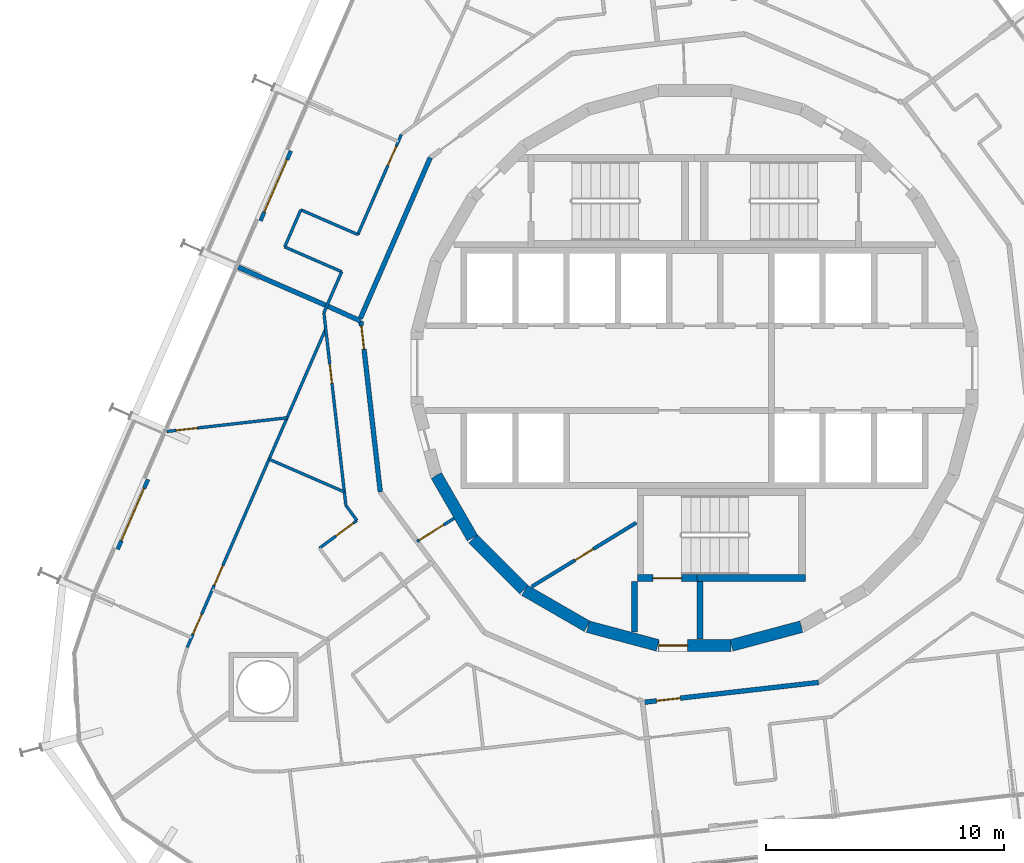
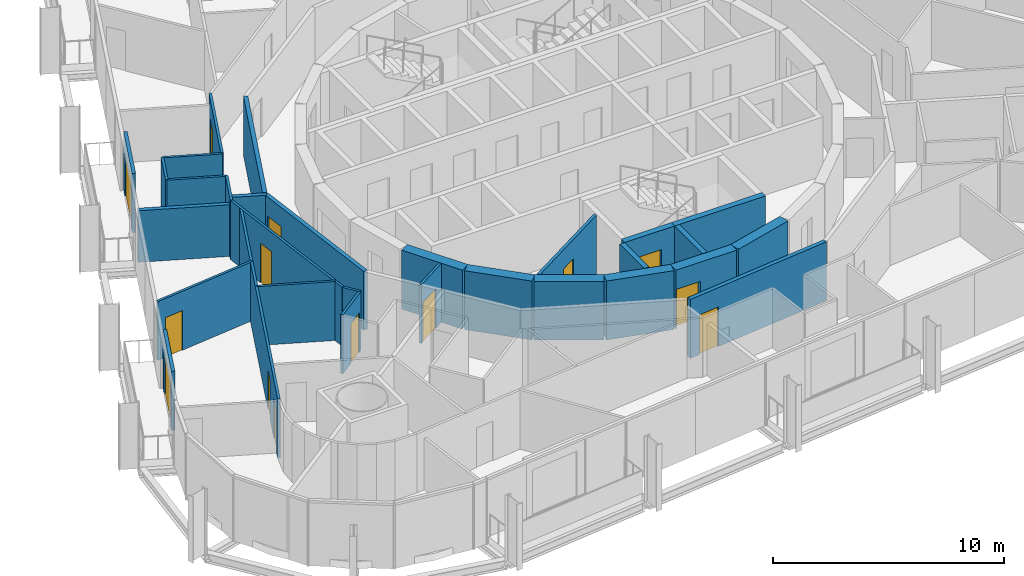
# One storey, part 17 of 24: 30 walls, 14 doors, 14 openings.
"""IFC4 building model written with IfcOpenShell, lengths in metres."""

from ifc_helpers import new_model, si_unit, direction, frame, frame_2d, origin, place, context, subcontext, project, spatial, rectangle, extrude, material, layer, layer_set, type_object, element, fill, save


model = new_model("IFC4")

# Units and contexts
model_context = context("Model", 3, precision=1e-05, world=origin(), true_north=direction((0.0, 1.0)))
body_context = subcontext(model_context, "Body", "Model", "MODEL_VIEW")
ifc_project = project(units=[si_unit("LENGTHUNIT", "METRE"), si_unit("AREAUNIT", "SQUARE_METRE"), si_unit("VOLUMEUNIT", "CUBIC_METRE"), si_unit("PLANEANGLEUNIT", "RADIAN"), si_unit("MASSUNIT", "GRAM", prefix="KILO")], contexts=[model_context])

# Site, building, storey
site_placement = place(None, origin())
site = spatial("IfcSite", under=ifc_project, at=site_placement, CompositionType="ELEMENT")
building_placement = place(site_placement, origin())
building = spatial("IfcBuilding", under=site, at=building_placement, Name="Spindle Arch Residences", CompositionType="ELEMENT")
storey_placement = place(building_placement, frame((0.0, 0.0, 101.199951171875)))
storey = spatial("IfcBuildingStorey", under=building, at=storey_placement, Name="L24", CompositionType="ELEMENT", Elevation=101.199951171875)

# Walls
ifc_material_1 = material(Name="Concrete C50/60", Category="concrete")
ifc_layer_1 = layer(ifc_material_1, 0.5)
ifc_layer_set_1 = layer_set([ifc_layer_1], Name="Core outline wall 500")
wall_type_1 = type_object("IfcWallType", Name="Core outline wall 500", PredefinedType="SHEAR", material=ifc_layer_set_1)
for number, where, z_axis, x_axis, name in (
    (1, (1.5498046875, -11.642822265625, 0.0), (0.0, 0.0, 1.0), (0.965948410781, 0.258734743916, 0.0), "Core outline wall 1"),
    (2, (-10.84521484375, -4.510498046875, 0.0), (0.0, 0.0, 1.0), (0.500087131594, -0.865975092491, 0.0), "Core outline wall 20"),
):
    element("IfcWall", number, at=place(storey_placement, frame(where, z_axis=z_axis, x_axis=x_axis)), inside=storey, type_object=wall_type_1, Name=name, PredefinedType="SHEAR", context=body_context, shape_type="SweptSolid", body=[
        extrude(rectangle(XDim=3.03271484375, YDim=0.5, at=frame_2d((1.516357421875, 0.0))), origin(), (0.0, 0.0, 1.0), 3.1201171875),
    ])
wall_1_placement = place(storey_placement, frame((-9.30810546875, -7.163818359375, 0.0), z_axis=(0.0, 0.0, 1.0), x_axis=(0.707106781187, -0.707106781187, 0.0)))
element("IfcWall", 3, at=wall_1_placement, inside=storey, type_object=wall_type_1, Name="Core outline wall 21", PredefinedType="SHEAR", context=body_context, shape_type="SweptSolid", body=[
    extrude(rectangle(XDim=3.032470703125, YDim=0.5, at=frame_2d((1.51611328125, 0.0))), origin(), (0.0, 0.0, 1.0), 3.1201171875),
])
for number, where, z_axis, x_axis, name in (
    (4, (-7.13671875, -9.32861328125, 0.0), (0.0, 0.0, 1.0), (0.865975092491, -0.500087131594, 0.0), "Core outline wall 22"),
    (5, (-4.479248046875, -10.858154296875, 0.0), (0.0, 0.0, 1.0), (0.965948410781, -0.258734743916, 0.0), "Core outline wall 23"),
):
    element("IfcWall", number, at=place(storey_placement, frame(where, z_axis=z_axis, x_axis=x_axis)), inside=storey, type_object=wall_type_1, Name=name, PredefinedType="SHEAR", context=body_context, shape_type="SweptSolid", body=[
        extrude(rectangle(XDim=3.03271484375, YDim=0.5, at=frame_2d((1.516357421875, 0.0))), origin(), (0.0, 0.0, 1.0), 3.1201171875),
    ])

# Wall, opening, door
wall_2_placement = place(storey_placement, frame((-1.516357421875, -11.647216796875, 0.0), z_axis=(0.0, 0.0, 1.0), x_axis=(1.0, 0.0, 0.0)))
wall_2 = element("IfcWall", 6, at=wall_2_placement, inside=storey, type_object=wall_type_1, Name="Core outline wall 24", PredefinedType="SHEAR", context=body_context, shape_type="SweptSolid", body=[
    extrude(rectangle(XDim=3.03271484375, YDim=0.5, at=frame_2d((1.516357421875, 0.0))), origin(), (0.0, 0.0, 1.0), 3.1201171875),
])
opening_1_placement = place(wall_2_placement, frame((0.016357421875, 0.0, 0.0)))
opening_1 = element("IfcOpeningElement", 7, at=opening_1_placement, cuts=wall_2, Name="Opening R2C1-AD03", PredefinedType="OPENING", context=body_context, shape_type="SweptSolid", body=[
    extrude(rectangle(XDim=1.199951171875, YDim=2.10009765625, at=frame_2d((0.60009765625, 1.050048828125))), frame((0.0, 0.260009765625, 0.0), z_axis=(0.0, -1.0, 0.0), x_axis=(1.0, 0.0, 0.0)), (0.0, 0.0, 1.0), 0.52001953125),
])
ifc_material_2 = material(Name="Steel, fire-resisting door", Category="steel")
door_type_1 = type_object("IfcDoorType", Name="Stair airlock door 1200x2100", OperationType="SINGLE_SWING_LEFT", PredefinedType="DOOR", material=ifc_material_2)
door_1_placement = place(opening_1_placement, origin())
door_1 = element("IfcDoor", 8, at=door_1_placement, inside=storey, type_object=door_type_1, Name="Stair airlock door R2C1-AD03", OperationType="SINGLE_SWING_RIGHT", OverallHeight=2.10009765625, OverallWidth=1.199951171875, PredefinedType="DOOR", context=body_context, shape_type="SweptSolid", body=[
    extrude(rectangle(XDim=1.199951171875, YDim=2.10009765625, at=frame_2d((0.60009765625, 1.050048828125))), frame((0.0, 0.02490234375, 0.0), z_axis=(0.0, -1.0, 0.0), x_axis=(1.0, 0.0, 0.0)), (0.0, 0.0, 1.0), 0.050048828125),
])
fill(opening_1, door_1)

ifc_material_3 = material(Name="Plasterboard on steel studs", Category="steel")
ifc_layer_2 = layer(ifc_material_3, 0.1201171875)
ifc_layer_set_2 = layer_set([ifc_layer_2], Name="Corridor division wall 120")
wall_type_2 = type_object("IfcWallType", Name="Corridor division wall 120", PredefinedType="PARTITIONING", material=ifc_layer_set_2)
wall_3_placement = place(storey_placement, frame((-11.654296875, -7.2822265625, 0.0), z_axis=(0.0, 0.0, 1.0), x_axis=(0.848117698675, 0.529807860638, 0.0)))
wall_3 = element("IfcWall", 9, at=wall_3_placement, inside=storey, type_object=wall_type_2, Name="Corridor division wall R2C1-W003", PredefinedType="PARTITIONING", context=body_context, shape_type="SweptSolid", body=[
    extrude(rectangle(XDim=1.837646484375, YDim=0.1201171875, at=frame_2d((0.9189453125, 0.0))), origin(), (0.0, 0.0, 1.0), 3.1201171875),
])
opening_2_placement = place(wall_3_placement, frame((0.114990234375, 0.0, 0.0)))
opening_2 = element("IfcOpeningElement", 10, at=opening_2_placement, cuts=wall_3, Name="Opening R2C1-CD03", PredefinedType="OPENING", context=body_context, shape_type="SweptSolid", body=[
    extrude(rectangle(XDim=1.199951171875, YDim=2.10009765625, at=frame_2d((0.60009765625, 1.050048828125))), frame((0.0, 0.070068359375, 0.0), z_axis=(0.0, -1.0, 0.0), x_axis=(1.0, 0.0, 0.0)), (0.0, 0.0, 1.0), 0.14013671875),
])
ifc_material_4 = material(Name="Steel, fire-resisting door", Category="steel")
door_type_2 = type_object("IfcDoorType", Name="Corridor division door 1200x2100", OperationType="NOTDEFINED", PredefinedType="DOOR", material=ifc_material_4)
door_2_placement = place(opening_2_placement, origin())
door_2 = element("IfcDoor", 11, at=door_2_placement, inside=storey, type_object=door_type_2, Name="Corridor division door R2C1-CD03", OperationType="DOUBLE_DOOR_SINGLE_SWING", OverallHeight=2.10009765625, OverallWidth=1.199951171875, PredefinedType="DOOR", context=body_context, shape_type="SweptSolid", body=[
    extrude(rectangle(XDim=1.199951171875, YDim=2.10009765625, at=frame_2d((0.60009765625, 1.050048828125))), frame((0.0, 0.02490234375, 0.0), z_axis=(0.0, -1.0, 0.0), x_axis=(1.0, 0.0, 0.0)), (0.0, 0.0, 1.0), 0.050048828125),
])
fill(opening_2, door_2)

# Wall
ifc_material_5 = material(Name="Calcium silicate block, plastered")
ifc_layer_3 = layer(ifc_material_5, 0.199951171875)
ifc_layer_set_3 = layer_set([ifc_layer_3], Name="Corridor wall 200")
wall_type_3 = type_object("IfcWallType", Name="Corridor wall 200", PredefinedType="STANDARD", material=ifc_layer_set_3)
wall_4_placement = place(storey_placement, frame((-11.10009765625, 8.829345703125, 0.0), z_axis=(0.0, 0.0, 1.0), x_axis=(-0.398741918631, -0.917063183388, 0.0)))
element("IfcWall", 12, at=wall_4_placement, inside=storey, type_object=wall_type_3, Name="Corridor wall R2C1-W010", PredefinedType="STANDARD", context=body_context, shape_type="SweptSolid", body=[
    extrude(rectangle(XDim=7.341796875, YDim=0.199951171875, at=frame_2d((3.6708984375, 0.0))), origin(), (0.0, 0.0, 1.0), 3.1201171875),
])

# Wall, opening, door
wall_5_placement = place(storey_placement, frame((-14.013427734375, 1.97412109375, 0.0), z_axis=(0.0, 0.0, 1.0), x_axis=(0.113196526349, -0.993572617589, 0.0)))
wall_5 = element("IfcWall", 13, at=wall_5_placement, inside=storey, type_object=wall_type_3, Name="Corridor wall R2C1-W011", PredefinedType="STANDARD", context=body_context, shape_type="SweptSolid", body=[
    extrude(rectangle(XDim=7.21875, YDim=0.199951171875, at=frame_2d((3.609375, 0.0))), origin(), (0.0, 0.0, 1.0), 3.1201171875),
])
opening_3_placement = place(wall_5_placement, frame((0.199951171875, 0.0, 0.0)))
opening_3 = element("IfcOpeningElement", 14, at=opening_3_placement, cuts=wall_5, Name="Opening R2C1-FD04", PredefinedType="OPENING", context=body_context, shape_type="SweptSolid", body=[
    extrude(rectangle(XDim=1.0, YDim=2.10009765625, at=frame_2d((0.5, 1.050048828125))), frame((0.0, 0.10986328125, 0.0), z_axis=(0.0, -1.0, 0.0), x_axis=(1.0, 0.0, 0.0)), (0.0, 0.0, 1.0), 0.219970703125),
])
ifc_material_6 = material(Name="Timber, fire-resisting door set", Category="wood")
door_type_3 = type_object("IfcDoorType", Name="Flat entrance door 1000x2100", OperationType="NOTDEFINED", PredefinedType="DOOR", material=ifc_material_6)
door_3_placement = place(opening_3_placement, origin())
door_3 = element("IfcDoor", 15, at=door_3_placement, inside=storey, type_object=door_type_3, Name="Flat entrance door R2C1-FD04", OperationType="SINGLE_SWING_RIGHT", OverallHeight=2.10009765625, OverallWidth=1.0, PredefinedType="DOOR", context=body_context, shape_type="SweptSolid", body=[
    extrude(rectangle(XDim=1.0, YDim=2.10009765625, at=frame_2d((0.5, 1.050048828125))), frame((0.0, 0.02490234375, 0.0), z_axis=(0.0, -1.0, 0.0), x_axis=(1.0, 0.0, 0.0)), (0.0, 0.0, 1.0), 0.050048828125),
])
fill(opening_3, door_3)

wall_6_placement = place(storey_placement, frame((-2.096435546875, -14.027587890625, 0.0), z_axis=(0.0, 0.0, 1.0), x_axis=(0.993569170114, 0.113226782163, 0.0)))
wall_6 = element("IfcWall", 16, at=wall_6_placement, inside=storey, type_object=wall_type_3, Name="Corridor wall R2C1-W014", PredefinedType="STANDARD", context=body_context, shape_type="SweptSolid", body=[
    extrude(rectangle(XDim=7.341796875, YDim=0.199951171875, at=frame_2d((3.6708984375, 0.0))), origin(), (0.0, 0.0, 1.0), 3.1201171875),
])
opening_4_placement = place(wall_6_placement, frame((0.5, 0.0, 0.0)))
opening_4 = element("IfcOpeningElement", 17, at=opening_4_placement, cuts=wall_6, Name="Opening R2C1-FD06", PredefinedType="OPENING", context=body_context, shape_type="SweptSolid", body=[
    extrude(rectangle(XDim=1.0, YDim=2.10009765625, at=frame_2d((0.5, 1.050048828125))), frame((0.0, 0.10986328125, 0.0), z_axis=(0.0, -1.0, 0.0), x_axis=(1.0, 0.0, 0.0)), (0.0, 0.0, 1.0), 0.219970703125),
])
door_4_placement = place(opening_4_placement, origin())
door_4 = element("IfcDoor", 18, at=door_4_placement, inside=storey, type_object=door_type_3, Name="Flat entrance door R2C1-FD06", OperationType="SINGLE_SWING_LEFT", OverallHeight=2.10009765625, OverallWidth=1.0, PredefinedType="DOOR", context=body_context, shape_type="SweptSolid", body=[
    extrude(rectangle(XDim=1.0, YDim=2.10009765625, at=frame_2d((0.5, 1.050048828125))), frame((0.0, 0.02490234375, 0.0), z_axis=(0.0, -1.0, 0.0), x_axis=(1.0, 0.0, 0.0)), (0.0, 0.0, 1.0), 0.050048828125),
])
fill(opening_4, door_4)

ifc_material_7 = material(Name="Plasterboard on steel studs", Category="steel")
ifc_layer_4 = layer(ifc_material_7, 0.1201171875)
ifc_layer_set_4 = layer_set([ifc_layer_4], Name="Flat partition 120")
wall_type_4 = type_object("IfcWallType", Name="Flat partition 120", PredefinedType="PARTITIONING", material=ifc_layer_set_4)
wall_7_placement = place(storey_placement, frame((-12.315185546875, 9.7958984375, 0.0), z_axis=(0.0, 0.0, 1.0), x_axis=(-0.398765150511, -0.917053081745, 0.0)))
wall_7 = element("IfcWall", 19, at=wall_7_placement, inside=storey, type_object=wall_type_4, Name="Flat partition R2C1-W070", PredefinedType="PARTITIONING", context=body_context, shape_type="SweptSolid", body=[
    extrude(rectangle(XDim=4.573486328125, YDim=0.1201171875, at=frame_2d((2.28662109375, 0.0))), origin(), (0.0, 0.0, 1.0), 3.1201171875),
])
opening_5_placement = place(wall_7_placement, frame((0.513427734375, 0.0, 0.0)))
opening_5 = element("IfcOpeningElement", 20, at=opening_5_placement, cuts=wall_7, Name="Opening R2C1-ID17", PredefinedType="OPENING", context=body_context, shape_type="SweptSolid", body=[
    extrude(rectangle(XDim=0.89990234375, YDim=2.10009765625, at=frame_2d((0.449951171875, 1.050048828125))), frame((0.0, 0.070068359375, 0.0), z_axis=(0.0, -1.0, 0.0), x_axis=(1.0, 0.0, 0.0)), (0.0, 0.0, 1.0), 0.14013671875),
])
ifc_material_8 = material(Name="Timber door set", Category="wood")
door_type_4 = type_object("IfcDoorType", Name="Room door 900x2100", OperationType="NOTDEFINED", PredefinedType="DOOR", material=ifc_material_8)
door_5_placement = place(opening_5_placement, origin())
door_5 = element("IfcDoor", 21, at=door_5_placement, inside=storey, type_object=door_type_4, Name="Room door R2C1-ID17", OperationType="SINGLE_SWING_LEFT", OverallHeight=2.10009765625, OverallWidth=0.89990234375, PredefinedType="DOOR", context=body_context, shape_type="SweptSolid", body=[
    extrude(rectangle(XDim=0.89990234375, YDim=2.10009765625, at=frame_2d((0.449951171875, 1.050048828125))), frame((0.0, 0.02490234375, 0.0), z_axis=(0.0, -1.0, 0.0), x_axis=(1.0, 0.0, 0.0)), (0.0, 0.0, 1.0), 0.050048828125),
])
fill(opening_5, door_5)

# Walls
wall_8_placement = place(storey_placement, frame((-14.138916015625, 5.601806640625, 0.0), z_axis=(0.0, 0.0, 1.0), x_axis=(-0.91706559301, 0.398736376716, 0.0)))
element("IfcWall", 22, at=wall_8_placement, inside=storey, type_object=wall_type_4, Name="Flat partition R2C1-W071", PredefinedType="PARTITIONING", context=body_context, shape_type="SweptSolid", body=[
    extrude(rectangle(XDim=2.60888671875, YDim=0.1201171875, at=frame_2d((1.304443359375, 0.0))), origin(), (0.0, 0.0, 1.0), 3.1201171875),
])
wall_9_placement = place(storey_placement, frame((-16.531494140625, 6.64208984375, 0.0), z_axis=(0.0, 0.0, 1.0), x_axis=(-0.398783871208, -0.917044941137, 0.0)))
element("IfcWall", 23, at=wall_9_placement, inside=storey, type_object=wall_type_4, Name="Flat partition R2C1-W072", PredefinedType="PARTITIONING", context=body_context, shape_type="SweptSolid", body=[
    extrude(rectangle(XDim=1.7001953125, YDim=0.1201171875, at=frame_2d((0.85009765625, 0.0))), origin(), (0.0, 0.0, 1.0), 3.1201171875),
])
wall_10_placement = place(storey_placement, frame((-17.20947265625, 5.0830078125, 0.0), z_axis=(0.0, 0.0, 1.0), x_axis=(0.91706559301, -0.398736376716, 0.0)))
element("IfcWall", 24, at=wall_10_placement, inside=storey, type_object=wall_type_4, Name="Flat partition R2C1-W073", PredefinedType="PARTITIONING", context=body_context, shape_type="SweptSolid", body=[
    extrude(rectangle(XDim=2.60888671875, YDim=0.1201171875, at=frame_2d((1.304443359375, 0.0))), origin(), (0.0, 0.0, 1.0), 3.1201171875),
])
wall_11_placement = place(storey_placement, frame((-14.81689453125, 4.042724609375, 0.0), z_axis=(0.0, 0.0, 1.0), x_axis=(-0.398683191722, -0.917088715795, 0.0)))
element("IfcWall", 25, at=wall_11_placement, inside=storey, type_object=wall_type_4, Name="Flat partition R2C1-W074", PredefinedType="PARTITIONING", context=body_context, shape_type="SweptSolid", body=[
    extrude(rectangle(XDim=1.8720703125, YDim=0.1201171875, at=frame_2d((0.93603515625, 0.0))), origin(), (0.0, 0.0, 1.0), 3.1201171875),
])

# Wall, opening, door
wall_12_placement = place(storey_placement, frame((-15.563232421875, 2.325927734375, 0.0), z_axis=(0.0, 0.0, 1.0), x_axis=(0.11320423706, -0.993571739087, 0.0)))
wall_12 = element("IfcWall", 26, at=wall_12_placement, inside=storey, type_object=wall_type_4, Name="Flat partition R2C1-W083", PredefinedType="PARTITIONING", context=body_context, shape_type="SweptSolid", body=[
    extrude(rectangle(XDim=8.1455078125, YDim=0.1201171875, at=frame_2d((4.07275390625, 0.0))), origin(), (0.0, 0.0, 1.0), 3.1201171875),
])
opening_6_placement = place(wall_12_placement, frame((2.18505859375, 0.0, 0.0)))
opening_6 = element("IfcOpeningElement", 27, at=opening_6_placement, cuts=wall_12, Name="Opening R2C1-BD04", PredefinedType="OPENING", context=body_context, shape_type="SweptSolid", body=[
    extrude(rectangle(XDim=0.800048828125, YDim=2.10009765625, at=frame_2d((0.39990234375, 1.050048828125))), frame((0.0, 0.070068359375, 0.0), z_axis=(0.0, -1.0, 0.0), x_axis=(1.0, 0.0, 0.0)), (0.0, 0.0, 1.0), 0.14013671875),
])
ifc_material_9 = material(Name="Timber door set", Category="wood")
door_type_5 = type_object("IfcDoorType", Name="Bathroom door 800x2100", OperationType="NOTDEFINED", PredefinedType="DOOR", material=ifc_material_9)
door_6_placement = place(opening_6_placement, origin())
door_6 = element("IfcDoor", 28, at=door_6_placement, inside=storey, type_object=door_type_5, Name="Bathroom door R2C1-BD04", OperationType="SINGLE_SWING_RIGHT", OverallHeight=2.10009765625, OverallWidth=0.800048828125, PredefinedType="DOOR", context=body_context, shape_type="SweptSolid", body=[
    extrude(rectangle(XDim=0.800048828125, YDim=2.10009765625, at=frame_2d((0.39990234375, 1.050048828125))), frame((0.0, 0.02490234375, 0.0), z_axis=(0.0, -1.0, 0.0), x_axis=(1.0, 0.0, 0.0)), (0.0, 0.0, 1.0), 0.050048828125),
])
fill(opening_6, door_6)

# Wall
wall_13_placement = place(storey_placement, frame((-14.64111328125, -5.767333984375, 0.0), z_axis=(0.0, 0.0, 1.0), x_axis=(0.594601337861, -0.804020676982, 0.0)))
element("IfcWall", 29, at=wall_13_placement, inside=storey, type_object=wall_type_4, Name="Flat partition R2C1-W084", PredefinedType="PARTITIONING", context=body_context, shape_type="SweptSolid", body=[
    extrude(rectangle(XDim=0.783447265625, YDim=0.1201171875, at=frame_2d((0.3916015625, 0.0))), origin(), (0.0, 0.0, 1.0), 3.1201171875),
])

# Wall, opening, door
wall_14_placement = place(storey_placement, frame((-14.17529296875, -6.397216796875, 0.0), z_axis=(0.0, 0.0, 1.0), x_axis=(-0.803901491033, -0.594762467474, 0.0)))
wall_14 = element("IfcWall", 30, at=wall_14_placement, inside=storey, type_object=wall_type_4, Name="Flat partition R2C1-W085", PredefinedType="PARTITIONING", context=body_context, shape_type="SweptSolid", body=[
    extrude(rectangle(XDim=1.958740234375, YDim=0.1201171875, at=frame_2d((0.9794921875, 0.0))), origin(), (0.0, 0.0, 1.0), 3.1201171875),
])
opening_7_placement = place(wall_14_placement, frame((0.199951171875, 0.0, 0.0)))
opening_7 = element("IfcOpeningElement", 31, at=opening_7_placement, cuts=wall_14, Name="Opening R2C1-ID21", PredefinedType="OPENING", context=body_context, shape_type="SweptSolid", body=[
    extrude(rectangle(XDim=0.89990234375, YDim=2.10009765625, at=frame_2d((0.449951171875, 1.050048828125))), frame((0.0, 0.070068359375, 0.0), z_axis=(0.0, -1.0, 0.0), x_axis=(1.0, 0.0, 0.0)), (0.0, 0.0, 1.0), 0.14013671875),
])
door_7_placement = place(opening_7_placement, origin())
door_7 = element("IfcDoor", 32, at=door_7_placement, inside=storey, type_object=door_type_4, Name="Room door R2C1-ID21", OperationType="SINGLE_SWING_RIGHT", OverallHeight=2.10009765625, OverallWidth=0.89990234375, PredefinedType="DOOR", context=body_context, shape_type="SweptSolid", body=[
    extrude(rectangle(XDim=0.89990234375, YDim=2.10009765625, at=frame_2d((0.449951171875, 1.050048828125))), frame((0.0, 0.02490234375, 0.0), z_axis=(0.0, -1.0, 0.0), x_axis=(1.0, 0.0, 0.0)), (0.0, 0.0, 1.0), 0.050048828125),
])
fill(opening_7, door_7)

# Wall, openings, doors
wall_15_placement = place(storey_placement, frame((-21.298095703125, -11.72216796875, 0.0), z_axis=(0.0, 0.0, 1.0), x_axis=(0.398738972546, 0.91706446435, 0.0)))
wall_15 = element("IfcWall", 33, at=wall_15_placement, inside=storey, type_object=wall_type_4, Name="Flat partition R2C1-W089", PredefinedType="PARTITIONING", context=body_context, shape_type="SweptSolid", body=[
    extrude(rectangle(XDim=14.57666015625, YDim=0.1201171875, at=frame_2d((7.288330078125, 0.0))), origin(), (0.0, 0.0, 1.0), 3.1201171875),
])
opening_8_placement = place(wall_15_placement, frame((2.8408203125, 0.0, 0.0)))
opening_8 = element("IfcOpeningElement", 34, at=opening_8_placement, cuts=wall_15, Name="Opening R2C1-ID22", PredefinedType="OPENING", context=body_context, shape_type="SweptSolid", body=[
    extrude(rectangle(XDim=0.89990234375, YDim=2.10009765625, at=frame_2d((0.449951171875, 1.050048828125))), frame((0.0, 0.070068359375, 0.0), z_axis=(0.0, -1.0, 0.0), x_axis=(1.0, 0.0, 0.0)), (0.0, 0.0, 1.0), 0.14013671875),
])
opening_9_placement = place(wall_15_placement, frame((0.60546875, 0.0, 0.0)))
opening_9 = element("IfcOpeningElement", 35, at=opening_9_placement, cuts=wall_15, Name="Opening R2C1-ID26", PredefinedType="OPENING", context=body_context, shape_type="SweptSolid", body=[
    extrude(rectangle(XDim=0.89990234375, YDim=2.10009765625, at=frame_2d((0.449951171875, 1.050048828125))), frame((0.0, 0.070068359375, 0.0), z_axis=(0.0, -1.0, 0.0), x_axis=(1.0, 0.0, 0.0)), (0.0, 0.0, 1.0), 0.14013671875),
])
door_8_placement = place(opening_8_placement, origin())
door_8 = element("IfcDoor", 36, at=door_8_placement, inside=storey, type_object=door_type_4, Name="Room door R2C1-ID22", OperationType="SINGLE_SWING_RIGHT", OverallHeight=2.10009765625, OverallWidth=0.89990234375, PredefinedType="DOOR", context=body_context, shape_type="SweptSolid", body=[
    extrude(rectangle(XDim=0.89990234375, YDim=2.10009765625, at=frame_2d((0.449951171875, 1.050048828125))), frame((0.0, 0.02490234375, 0.0), z_axis=(0.0, -1.0, 0.0), x_axis=(1.0, 0.0, 0.0)), (0.0, 0.0, 1.0), 0.050048828125),
])
fill(opening_8, door_8)
door_9_placement = place(opening_9_placement, origin())
door_9 = element("IfcDoor", 37, at=door_9_placement, inside=storey, type_object=door_type_4, Name="Room door R2C1-ID26", OperationType="SINGLE_SWING_LEFT", OverallHeight=2.10009765625, OverallWidth=0.89990234375, PredefinedType="DOOR", context=body_context, shape_type="SweptSolid", body=[
    extrude(rectangle(XDim=0.89990234375, YDim=2.10009765625, at=frame_2d((0.449951171875, 1.050048828125))), frame((0.0, 0.02490234375, 0.0), z_axis=(0.0, -1.0, 0.0), x_axis=(1.0, 0.0, 0.0)), (0.0, 0.0, 1.0), 0.050048828125),
])
fill(opening_9, door_9)

# Wall, opening, door
wall_16_placement = place(storey_placement, frame((-22.157470703125, -2.663818359375, 0.0), z_axis=(0.0, 0.0, 1.0), x_axis=(0.993571026426, 0.113210491767, 0.0)))
wall_16 = element("IfcWall", 38, at=wall_16_placement, inside=storey, type_object=wall_type_4, Name="Flat partition R2C1-W090", PredefinedType="PARTITIONING", context=body_context, shape_type="SweptSolid", body=[
    extrude(rectangle(XDim=5.080810546875, YDim=0.1201171875, at=frame_2d((2.54052734375, 0.0))), origin(), (0.0, 0.0, 1.0), 3.1201171875),
])
opening_10_placement = place(wall_16_placement, frame((0.39990234375, 0.0, 0.0)))
opening_10 = element("IfcOpeningElement", 39, at=opening_10_placement, cuts=wall_16, Name="Opening R2C1-ID24", PredefinedType="OPENING", context=body_context, shape_type="SweptSolid", body=[
    extrude(rectangle(XDim=0.89990234375, YDim=2.10009765625, at=frame_2d((0.449951171875, 1.050048828125))), frame((0.0, 0.070068359375, 0.0), z_axis=(0.0, -1.0, 0.0), x_axis=(1.0, 0.0, 0.0)), (0.0, 0.0, 1.0), 0.14013671875),
])
door_10_placement = place(opening_10_placement, origin())
door_10 = element("IfcDoor", 40, at=door_10_placement, inside=storey, type_object=door_type_4, Name="Room door R2C1-ID24", OperationType="SINGLE_SWING_LEFT", OverallHeight=2.10009765625, OverallWidth=0.89990234375, PredefinedType="DOOR", context=body_context, shape_type="SweptSolid", body=[
    extrude(rectangle(XDim=0.89990234375, YDim=2.10009765625, at=frame_2d((0.449951171875, 1.050048828125))), frame((0.0, 0.02490234375, 0.0), z_axis=(0.0, -1.0, 0.0), x_axis=(1.0, 0.0, 0.0)), (0.0, 0.0, 1.0), 0.050048828125),
])
fill(opening_10, door_10)

# Walls
wall_17_placement = place(storey_placement, frame((-17.865478515625, -3.827392578125, 0.0), z_axis=(0.0, 0.0, 1.0), x_axis=(0.917043017742, -0.398788294224, 0.0)))
element("IfcWall", 41, at=wall_17_placement, inside=storey, type_object=wall_type_4, Name="Flat partition R2C1-W091", PredefinedType="PARTITIONING", context=body_context, shape_type="SweptSolid", body=[
    extrude(rectangle(XDim=3.445556640625, YDim=0.1201171875, at=frame_2d((1.72265625, 0.0))), origin(), (0.0, 0.0, 1.0), 3.1201171875),
])
ifc_material_10 = material(Name="Calcium silicate block, plastered")
ifc_layer_5 = layer(ifc_material_10, 0.199951171875)
ifc_layer_set_5 = layer_set([ifc_layer_5], Name="Flat party wall 200")
wall_type_5 = type_object("IfcWallType", Name="Flat party wall 200", PredefinedType="STANDARD", material=ifc_layer_set_5)
wall_18_placement = place(storey_placement, frame((-15.47509765625, 2.62939453125, 0.0), z_axis=(0.0, 0.0, 1.0), x_axis=(0.911720699372, -0.410810621011, 0.0)))
element("IfcWall", 42, at=wall_18_placement, inside=storey, type_object=wall_type_5, Name="Flat party wall R2C1-W024", PredefinedType="STANDARD", context=body_context, shape_type="SweptSolid", body=[
    extrude(rectangle(XDim=1.59326171875, YDim=0.199951171875, at=frame_2d((0.796630859375, 0.0))), origin(), (0.0, 0.0, 1.0), 3.1201171875),
])
ifc_material_11 = material(Name="Calcium silicate block, plastered")
ifc_layer_6 = layer(ifc_material_11, 0.199951171875)
ifc_layer_set_6 = layer_set([ifc_layer_6], Name="Flat party wall 200 under beam 2730")
wall_type_6 = type_object("IfcWallType", Name="Flat party wall 200 under beam 2730", PredefinedType="STANDARD", material=ifc_layer_set_6)
wall_19_placement = place(storey_placement, frame((-19.1591796875, 4.231201171875, 0.0), z_axis=(0.0, 0.0, 1.0), x_axis=(0.917067157668, -0.398732778095, 0.0)))
element("IfcWall", 43, at=wall_19_placement, inside=storey, type_object=wall_type_6, Name="Flat party wall R2C1-W025", PredefinedType="STANDARD", context=body_context, shape_type="SweptSolid", body=[
    extrude(rectangle(XDim=4.017333984375, YDim=0.199951171875, at=frame_2d((2.0087890625, 0.0))), origin(), (0.0, 0.0, 1.0), 2.72998046875),
])

# Wall, opening, door
ifc_material_12 = material(Name="Non-combustible mineral wool insulated aluminium faced external wall (K0)", Category="aluminium")
ifc_layer_7 = layer(ifc_material_12, 0.159912109375)
ifc_layer_set_7 = layer_set([ifc_layer_7], Name="Insulated external wall panel 160")
wall_type_7 = type_object("IfcWallType", Name="Insulated external wall panel 160", PredefinedType="STANDARD", material=ifc_layer_set_7)
wall_20_placement = place(storey_placement, frame((-16.948974609375, 9.1142578125, 0.0), z_axis=(0.0, 0.0, 1.0), x_axis=(-0.398720531764, -0.917072482168, 0.0)))
wall_20 = element("IfcWall", 44, at=wall_20_placement, inside=storey, type_object=wall_type_7, Name="External wall L24 bay 16", PredefinedType="STANDARD", context=body_context, shape_type="SweptSolid", body=[
    extrude(rectangle(XDim=3.199951171875, YDim=0.159912109375, at=frame_2d((1.60009765625, 0.0))), origin(), (0.0, 0.0, 1.0), 3.1201171875),
])
opening_11_placement = place(wall_20_placement, frame((0.39990234375, 0.0, 0.0)))
opening_11 = element("IfcOpeningElement", 45, at=opening_11_placement, cuts=wall_20, Name="Opening BD16", PredefinedType="OPENING", context=body_context, shape_type="SweptSolid", body=[
    extrude(rectangle(XDim=2.39990234375, YDim=2.39990234375, at=frame_2d((1.199951171875, 1.199951171875))), frame((0.0, 0.08984375, 0.0), z_axis=(0.0, -1.0, 0.0), x_axis=(1.0, 0.0, 0.0)), (0.0, 0.0, 1.0), 0.179931640625),
])
ifc_material_13 = material(Name="Bronze aluminium frame, tinted double glazing", Category="aluminium")
door_type_6 = type_object("IfcDoorType", Name="Sliding glazed balcony door 2400x2400", OperationType="DOUBLE_DOOR_SLIDING", PredefinedType="DOOR", material=ifc_material_13)
door_11_placement = place(opening_11_placement, origin())
door_11 = element("IfcDoor", 46, at=door_11_placement, inside=storey, type_object=door_type_6, Name="Balcony door BD16", OperationType="DOUBLE_DOOR_SLIDING", OverallHeight=2.39990234375, OverallWidth=2.39990234375, PredefinedType="DOOR", context=body_context, shape_type="SweptSolid", body=[
    extrude(rectangle(XDim=2.39990234375, YDim=2.39990234375, at=frame_2d((1.199951171875, 1.199951171875))), frame((0.0, 0.02490234375, 0.0), z_axis=(0.0, -1.0, 0.0), x_axis=(1.0, 0.0, 0.0)), (0.0, 0.0, 1.0), 0.050048828125),
])
fill(opening_11, door_11)

wall_21_placement = place(storey_placement, frame((-22.945068359375, -4.676025390625, 0.0), z_axis=(0.0, 0.0, 1.0), x_axis=(-0.398784695066, -0.917044582876, 0.0)))
wall_21 = element("IfcWall", 47, at=wall_21_placement, inside=storey, type_object=wall_type_7, Name="External wall L24 bay 18", PredefinedType="STANDARD", context=body_context, shape_type="SweptSolid", body=[
    extrude(rectangle(XDim=3.199951171875, YDim=0.159912109375, at=frame_2d((1.60009765625, 0.0))), origin(), (0.0, 0.0, 1.0), 3.1201171875),
])
opening_12_placement = place(wall_21_placement, frame((0.39990234375, 0.0, 0.0)))
opening_12 = element("IfcOpeningElement", 48, at=opening_12_placement, cuts=wall_21, Name="Opening BD18", PredefinedType="OPENING", context=body_context, shape_type="SweptSolid", body=[
    extrude(rectangle(XDim=2.39990234375, YDim=2.39990234375, at=frame_2d((1.199951171875, 1.199951171875))), frame((0.0, 0.08984375, 0.0), z_axis=(0.0, -1.0, 0.0), x_axis=(1.0, 0.0, 0.0)), (0.0, 0.0, 1.0), 0.179931640625),
])
door_12_placement = place(opening_12_placement, origin())
door_12 = element("IfcDoor", 49, at=door_12_placement, inside=storey, type_object=door_type_6, Name="Balcony door BD18", OperationType="DOUBLE_DOOR_SLIDING", OverallHeight=2.39990234375, OverallWidth=2.39990234375, PredefinedType="DOOR", context=body_context, shape_type="SweptSolid", body=[
    extrude(rectangle(XDim=2.39990234375, YDim=2.39990234375, at=frame_2d((1.199951171875, 1.199951171875))), frame((0.0, 0.02490234375, 0.0), z_axis=(0.0, -1.0, 0.0), x_axis=(1.0, 0.0, 0.0)), (0.0, 0.0, 1.0), 0.050048828125),
])
fill(opening_12, door_12)

ifc_material_14 = material(Name="Concrete C25/30", Category="concrete")
ifc_layer_8 = layer(ifc_material_14, 0.14990234375)
ifc_layer_set_8 = layer_set([ifc_layer_8], Name="Service room partition 150")
wall_type_8 = type_object("IfcWallType", Name="Service room partition 150", PredefinedType="PARTITIONING", material=ifc_layer_set_8)
wall_22_placement = place(storey_placement, frame((-2.451171875, -6.49462890625, 0.0), z_axis=(0.0, 0.0, 1.0), x_axis=(-0.853250115418, -0.521501908471, 0.0)))
wall_22 = element("IfcWall", 50, at=wall_22_placement, inside=storey, type_object=wall_type_8, Name="Core service room partition", PredefinedType="PARTITIONING", context=body_context, shape_type="SweptSolid", body=[
    extrude(rectangle(XDim=5.137451171875, YDim=0.14990234375, at=frame_2d((2.56884765625, 0.0))), origin(), (0.0, 0.0, 1.0), 3.1201171875),
])
opening_13_placement = place(wall_22_placement, frame((2.11865234375, 0.0, 0.0)))
opening_13 = element("IfcOpeningElement", 51, at=opening_13_placement, cuts=wall_22, Name="Opening R2C1-WD05", PredefinedType="OPENING", context=body_context, shape_type="SweptSolid", body=[
    extrude(rectangle(XDim=0.89990234375, YDim=2.10009765625, at=frame_2d((0.449951171875, 1.050048828125))), frame((0.0, 0.0849609375, 0.0), z_axis=(0.0, -1.0, 0.0), x_axis=(1.0, 0.0, 0.0)), (0.0, 0.0, 1.0), 0.169921875),
])
ifc_material_15 = material(Name="Steel, fire-resisting door", Category="steel")
door_type_7 = type_object("IfcDoorType", Name="Service room door 900x2100", OperationType="SINGLE_SWING_LEFT", PredefinedType="DOOR", material=ifc_material_15)
door_13_placement = place(opening_13_placement, origin())
door_13 = element("IfcDoor", 52, at=door_13_placement, inside=storey, type_object=door_type_7, Name="Service room door R2C1-WD05", OperationType="SINGLE_SWING_RIGHT", OverallHeight=2.10009765625, OverallWidth=0.89990234375, PredefinedType="DOOR", context=body_context, shape_type="SweptSolid", body=[
    extrude(rectangle(XDim=0.89990234375, YDim=2.10009765625, at=frame_2d((0.449951171875, 1.050048828125))), frame((0.0, 0.02490234375, 0.0), z_axis=(0.0, -1.0, 0.0), x_axis=(1.0, 0.0, 0.0)), (0.0, 0.0, 1.0), 0.050048828125),
])
fill(opening_13, door_13)

# Walls
ifc_material_16 = material(Name="Concrete C40/50", Category="concrete")
ifc_layer_9 = layer(ifc_material_16, 0.25)
ifc_layer_set_9 = layer_set([ifc_layer_9], Name="Stair airlock wall 250")
wall_type_9 = type_object("IfcWallType", Name="Stair airlock wall 250", PredefinedType="SHEAR", material=ifc_layer_set_9)
wall_23_placement = place(storey_placement, frame((-2.52490234375, -8.969970703125, 0.0), z_axis=(0.0, 0.0, 1.0), x_axis=(0.0, -1.0, 0.0)))
element("IfcWall", 53, at=wall_23_placement, inside=storey, type_object=wall_type_9, Name="Stair ST-3 airlock wall W", PredefinedType="SHEAR", context=body_context, shape_type="SweptSolid", body=[
    extrude(rectangle(XDim=2.110107421875, YDim=0.25, at=frame_2d((1.05517578125, 0.0))), origin(), (0.0, 0.0, 1.0), 3.1201171875),
])
wall_24_placement = place(storey_placement, frame((0.22509765625, -8.969970703125, 0.0), z_axis=(0.0, 0.0, 1.0), x_axis=(0.0, -1.0, 0.0)))
element("IfcWall", 54, at=wall_24_placement, inside=storey, type_object=wall_type_9, Name="Stair ST-3 airlock wall E", PredefinedType="SHEAR", context=body_context, shape_type="SweptSolid", body=[
    extrude(rectangle(XDim=2.409912109375, YDim=0.25, at=frame_2d((1.205078125, 0.0))), origin(), (0.0, 0.0, 1.0), 3.1201171875),
])
ifc_material_17 = material(Name="Concrete C50/60", Category="concrete")
ifc_layer_10 = layer(ifc_material_17, 0.300048828125)
ifc_layer_set_10 = layer_set([ifc_layer_10], Name="Stair enclosure wall 300")
wall_type_10 = type_object("IfcWallType", Name="Stair enclosure wall 300", PredefinedType="SHEAR", material=ifc_layer_set_10)
wall_25_placement = place(storey_placement, frame((0.10009765625, -8.820068359375, 0.0), z_axis=(0.0, 0.0, 1.0), x_axis=(1.0, 0.0, 0.0)))
element("IfcWall", 55, at=wall_25_placement, inside=storey, type_object=wall_type_10, Name="Stair ST-3 enclosure wall S", PredefinedType="SHEAR", context=body_context, shape_type="SweptSolid", body=[
    extrude(rectangle(XDim=4.5498046875, YDim=0.300048828125, at=frame_2d((2.27490234375, 0.0))), origin(), (0.0, 0.0, 1.0), 3.1201171875),
])

# Wall, opening, door
wall_26_placement = place(storey_placement, frame((-2.39990234375, -8.820068359375, 0.0), z_axis=(0.0, 0.0, 1.0), x_axis=(1.0, 0.0, 0.0)))
wall_26 = element("IfcWall", 56, at=wall_26_placement, inside=storey, type_object=wall_type_10, Name="Stair ST-3 door wall", PredefinedType="SHEAR", context=body_context, shape_type="SweptSolid", body=[
    extrude(rectangle(XDim=2.5, YDim=0.300048828125, at=frame_2d((1.25, 0.0))), origin(), (0.0, 0.0, 1.0), 3.1201171875),
])
opening_14_placement = place(wall_26_placement, frame((0.64990234375, 0.0, 0.0)))
opening_14 = element("IfcOpeningElement", 57, at=opening_14_placement, cuts=wall_26, Name="Opening R2C1-SD03", PredefinedType="OPENING", context=body_context, shape_type="SweptSolid", body=[
    extrude(rectangle(XDim=1.199951171875, YDim=2.10009765625, at=frame_2d((0.60009765625, 1.050048828125))), frame((0.0, 0.16015625, 0.0), z_axis=(0.0, -1.0, 0.0), x_axis=(1.0, 0.0, 0.0)), (0.0, 0.0, 1.0), 0.320068359375),
])
ifc_material_18 = material(Name="Steel, fire-resisting door", Category="steel")
door_type_8 = type_object("IfcDoorType", Name="Stair door 1200x2100", OperationType="SINGLE_SWING_RIGHT", PredefinedType="DOOR", material=ifc_material_18)
door_14_placement = place(opening_14_placement, origin())
door_14 = element("IfcDoor", 58, at=door_14_placement, inside=storey, type_object=door_type_8, Name="Stair door R2C1-SD03", OperationType="SINGLE_SWING_LEFT", OverallHeight=2.10009765625, OverallWidth=1.199951171875, PredefinedType="DOOR", context=body_context, shape_type="SweptSolid", body=[
    extrude(rectangle(XDim=1.199951171875, YDim=2.10009765625, at=frame_2d((0.60009765625, 1.050048828125))), frame((0.0, 0.02490234375, 0.0), z_axis=(0.0, -1.0, 0.0), x_axis=(1.0, 0.0, 0.0)), (0.0, 0.0, 1.0), 0.050048828125),
])
fill(opening_14, door_14)

save(model, "model.ifc")
